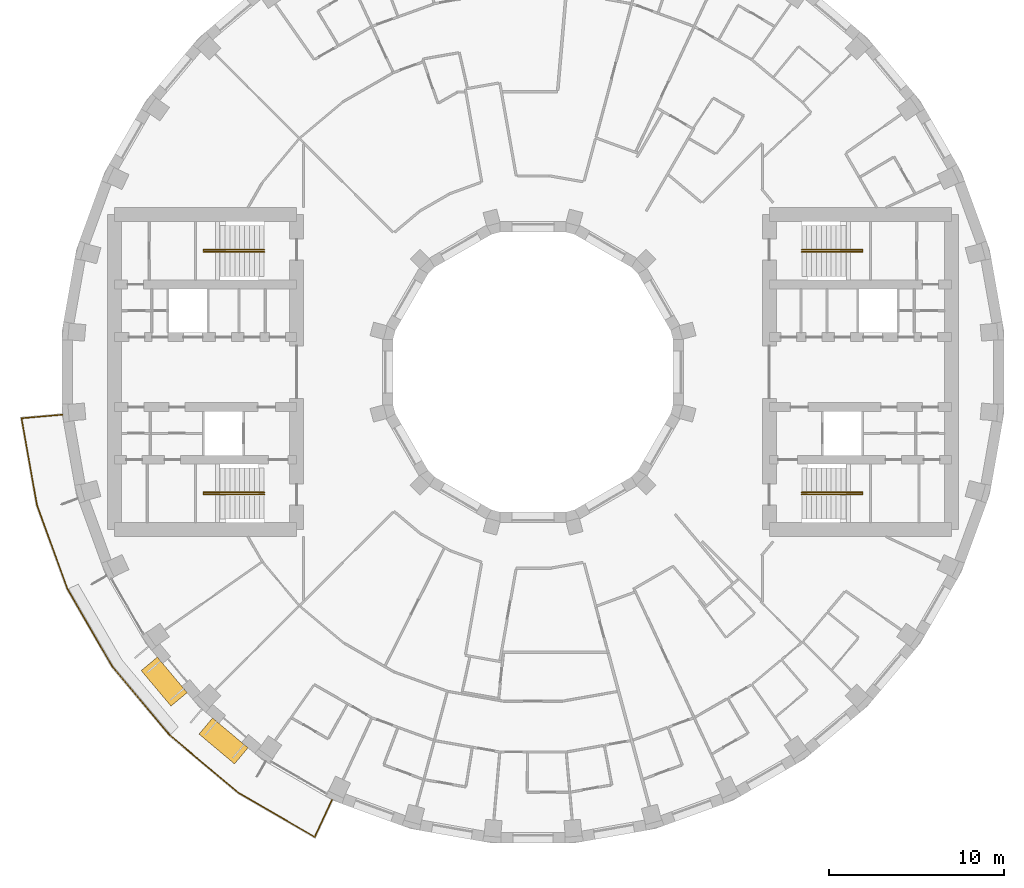
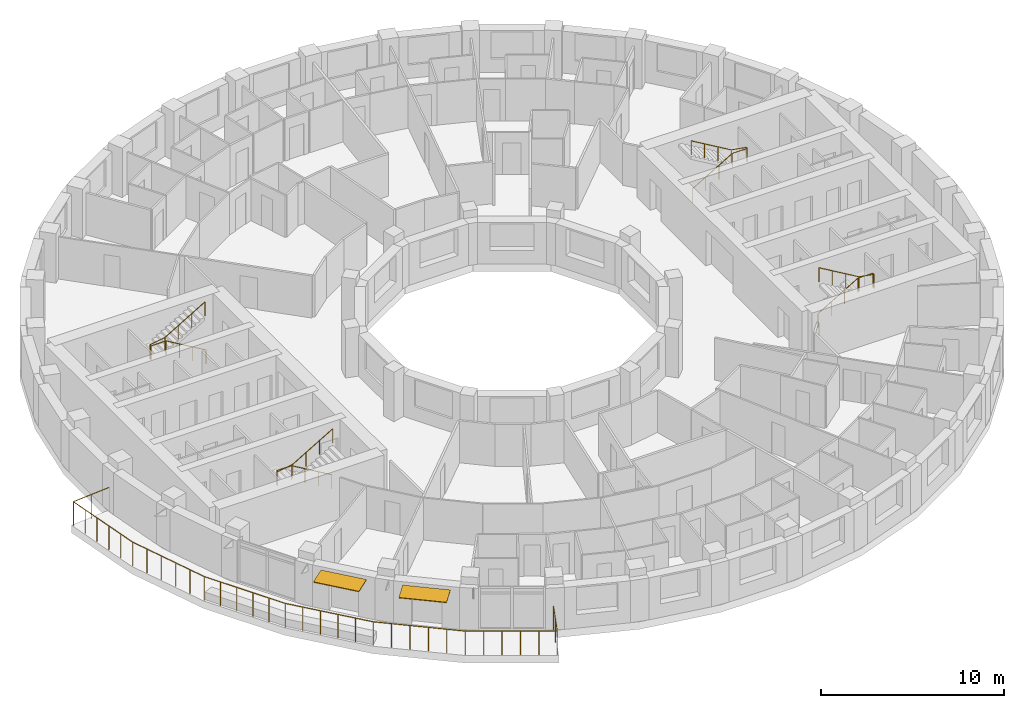
# One storey, part 16 of 16: 5 railings, 2 shading devices.
"""IFC4 building model written with IfcOpenShell, lengths in metres."""

from ifc_helpers import new_model, si_unit, direction, frame, origin, origin_2d, place, context, subcontext, project, spatial, rectangle, circle, extrude, material, layer, layer_set, type_object, element, save


model = new_model("IFC4")

# Units and contexts
model_context = context("Model", 3, precision=1e-05, world=origin(), true_north=direction((0.0, 1.0)))
body_context = subcontext(model_context, "Body", "Model", "MODEL_VIEW")
ifc_project = project(units=[si_unit("LENGTHUNIT", "METRE"), si_unit("AREAUNIT", "SQUARE_METRE"), si_unit("VOLUMEUNIT", "CUBIC_METRE"), si_unit("PLANEANGLEUNIT", "RADIAN"), si_unit("MASSUNIT", "GRAM", prefix="KILO")], contexts=[model_context])

# Site, building, storey
site_placement = place(None, origin())
site = spatial("IfcSite", under=ifc_project, at=site_placement, CompositionType="ELEMENT")
building_placement = place(site_placement, origin())
building = spatial("IfcBuilding", under=site, at=building_placement, Name="Saqina Gate Tower", CompositionType="ELEMENT")
storey_placement = place(building_placement, frame((0.0, 0.0, 124.89990234375)))
storey = spatial("IfcBuildingStorey", under=building, at=storey_placement, Name="L35", CompositionType="ELEMENT", Elevation=124.89990234375)

# Shading devices
ifc_material_1 = material(Name="Aluminium and fabric awning", Category="aluminium")
ifc_layer = layer(ifc_material_1, 0.050048828125)
ifc_layer_set = layer_set([ifc_layer], Name="AW-TERRACE")
shading_device_type = type_object("IfcShadingDeviceType", Name="AW-TERRACE", PredefinedType="AWNING", material=ifc_layer_set)
for number, where, z_axis, x_axis, name in (
    (1, (-21.064208984375, -17.6748046875, 2.52490234375), (0.0, 0.0, 1.0), (0.642787609687, -0.766044443119, 0.0), "Terrace awning L35 facet 22"),
    (2, (-17.6748046875, -21.064208984375, 2.52490234375), (0.0, 0.0, 1.0), (0.766044443119, -0.642787609687, 0.0), "Terrace awning L35 facet 23"),
):
    element("IfcShadingDevice", number, at=place(storey_placement, frame(where, z_axis=z_axis, x_axis=x_axis)), inside=storey, type_object=shading_device_type, Name=name, PredefinedType="AWNING", context=body_context, shape_type="SweptSolid", body=[
        extrude(rectangle(XDim=2.647705078125, YDim=1.199951171875, at=origin_2d()), origin(), (0.0, 0.0, 1.0), 0.050048828125),
    ])

# Railings
ifc_material_2 = material(Name="Stainless steel", Category="steel")
railing_type_1 = type_object("IfcRailingType", Name="RL-TERRACE", PredefinedType="GUARDRAIL", material=ifc_material_2)
railing_1_placement = place(storey_placement, frame((-26.83056640625, -2.427734375, 0.0)))
element("IfcRailing", 3, at=railing_1_placement, inside=storey, type_object=railing_type_1, Name="Terrace guard L35", PredefinedType="GUARDRAIL", context=body_context, shape_type="SweptSolid", body=[
    extrude(circle(Radius=0.02392578125, at=origin_2d()), frame((0.0, 0.0, 1.576171875), z_axis=(-0.996192497087, -0.087180896688, 0.0), x_axis=(0.087180896688, -0.996192497087, 0.0)), (0.0, 0.0, 1.0), 2.388671875),
    extrude(circle(Radius=0.02392578125, at=origin_2d()), frame((-2.379638671875, -0.208251953125, 1.576171875), z_axis=(0.174986307817, -0.984570866965, 0.0), x_axis=(0.984570866965, 0.174986307817, 0.0)), (0.0, 0.0, 1.0), 5.032470703125),
    extrude(circle(Radius=0.02392578125, at=origin_2d()), frame((-1.4990234375, -5.1630859375, 1.576171875), z_axis=(0.342011445423, -0.939695786518, 0.0), x_axis=(0.939695786518, 0.342011445423, 0.0)), (0.0, 0.0, 1.0), 5.112548828125),
    extrude(circle(Radius=0.02392578125, at=origin_2d()), frame((0.24951171875, -9.96728515625, 1.576171875), z_axis=(0.500011827544, -0.866018575041, 0.0), x_axis=(0.866018575041, 0.500011827544, 0.0)), (0.0, 0.0, 1.0), 5.1123046875),
    extrude(circle(Radius=0.02392578125, at=origin_2d()), frame((2.8056640625, -14.39453125, 1.576171875), z_axis=(0.642815711334, -0.766020862158, 0.0), x_axis=(0.766020862158, 0.642815711334, 0.0)), (0.0, 0.0, 1.0), 5.112548828125),
    extrude(circle(Radius=0.02392578125, at=origin_2d()), frame((6.092041015625, -18.310791015625, 1.576171875), z_axis=(0.766020862158, -0.642815711334, 0.0), x_axis=(0.642815711334, 0.766020862158, 0.0)), (0.0, 0.0, 1.0), 5.112548828125),
    extrude(circle(Radius=0.02392578125, at=origin_2d()), frame((10.00830078125, -21.59716796875, 1.576171875), z_axis=(0.86534767014, -0.501172036115, 0.0), x_axis=(0.501172036115, 0.86534767014, 0.0)), (0.0, 0.0, 1.0), 5.03271484375),
    extrude(circle(Radius=0.02392578125, at=origin_2d()), frame((14.36328125, -24.119384765625, 1.576171875), z_axis=(0.422600102855, 0.906316254443, 0.0), x_axis=(-0.906316254443, 0.422600102855, 0.0)), (0.0, 0.0, 1.0), 2.388916015625),
    extrude(circle(Radius=0.02099609375, at=origin_2d()), origin(), (0.0, 0.0, 1.0), 1.552001953125),
    extrude(circle(Radius=0.02099609375, at=origin_2d()), frame((-1.18994140625, -0.10400390625, 0.0)), (0.0, 0.0, 1.0), 1.552001953125),
    extrude(circle(Radius=0.02099609375, at=origin_2d()), frame((-2.379638671875, -0.208251953125, 0.0)), (0.0, 0.0, 1.0), 1.552001953125),
    extrude(circle(Radius=0.02099609375, at=origin_2d()), frame((-2.20361328125, -1.19921875, 0.0)), (0.0, 0.0, 1.0), 1.552001953125),
    extrude(circle(Radius=0.02099609375, at=origin_2d()), frame((-2.02734375, -2.190185546875, 0.0)), (0.0, 0.0, 1.0), 1.552001953125),
    extrude(circle(Radius=0.02099609375, at=origin_2d()), frame((-1.851318359375, -3.18115234375, 0.0)), (0.0, 0.0, 1.0), 1.552001953125),
    extrude(circle(Radius=0.02099609375, at=origin_2d()), frame((-1.675048828125, -4.172119140625, 0.0)), (0.0, 0.0, 1.0), 1.552001953125),
    extrude(circle(Radius=0.02099609375, at=origin_2d()), frame((-1.4990234375, -5.1630859375, 0.0)), (0.0, 0.0, 1.0), 1.552001953125),
    extrude(circle(Radius=0.02099609375, at=origin_2d()), frame((-1.1494140625, -6.1240234375, 0.0)), (0.0, 0.0, 1.0), 1.552001953125),
    extrude(circle(Radius=0.02099609375, at=origin_2d()), frame((-0.799560546875, -7.084716796875, 0.0)), (0.0, 0.0, 1.0), 1.552001953125),
    extrude(circle(Radius=0.02099609375, at=origin_2d()), frame((-0.449951171875, -8.045654296875, 0.0)), (0.0, 0.0, 1.0), 1.552001953125),
    extrude(circle(Radius=0.02099609375, at=origin_2d()), frame((-0.10009765625, -9.00634765625, 0.0)), (0.0, 0.0, 1.0), 1.552001953125),
    extrude(circle(Radius=0.02099609375, at=origin_2d()), frame((0.24951171875, -9.96728515625, 0.0)), (0.0, 0.0, 1.0), 1.552001953125),
    extrude(circle(Radius=0.02099609375, at=origin_2d()), frame((0.7607421875, -10.852783203125, 0.0)), (0.0, 0.0, 1.0), 1.552001953125),
    extrude(circle(Radius=0.02099609375, at=origin_2d()), frame((1.27197265625, -11.73828125, 0.0)), (0.0, 0.0, 1.0), 1.552001953125),
    extrude(circle(Radius=0.02099609375, at=origin_2d()), frame((1.783203125, -12.62353515625, 0.0)), (0.0, 0.0, 1.0), 1.552001953125),
    extrude(circle(Radius=0.02099609375, at=origin_2d()), frame((2.29443359375, -13.509033203125, 0.0)), (0.0, 0.0, 1.0), 1.552001953125),
    extrude(circle(Radius=0.02099609375, at=origin_2d()), frame((2.8056640625, -14.39453125, 0.0)), (0.0, 0.0, 1.0), 1.552001953125),
    extrude(circle(Radius=0.02099609375, at=origin_2d()), frame((3.462890625, -15.177734375, 0.0)), (0.0, 0.0, 1.0), 1.552001953125),
    extrude(circle(Radius=0.02099609375, at=origin_2d()), frame((4.1201171875, -15.9609375, 0.0)), (0.0, 0.0, 1.0), 1.552001953125),
    extrude(circle(Radius=0.02099609375, at=origin_2d()), frame((4.777587890625, -16.744384765625, 0.0)), (0.0, 0.0, 1.0), 1.552001953125),
    extrude(circle(Radius=0.02099609375, at=origin_2d()), frame((5.434814453125, -17.527587890625, 0.0)), (0.0, 0.0, 1.0), 1.552001953125),
    extrude(circle(Radius=0.02099609375, at=origin_2d()), frame((6.092041015625, -18.310791015625, 0.0)), (0.0, 0.0, 1.0), 1.552001953125),
    extrude(circle(Radius=0.02099609375, at=origin_2d()), frame((6.875244140625, -18.968017578125, 0.0)), (0.0, 0.0, 1.0), 1.552001953125),
    extrude(circle(Radius=0.02099609375, at=origin_2d()), frame((7.658447265625, -19.625244140625, 0.0)), (0.0, 0.0, 1.0), 1.552001953125),
    extrude(circle(Radius=0.02099609375, at=origin_2d()), frame((8.44189453125, -20.28271484375, 0.0)), (0.0, 0.0, 1.0), 1.552001953125),
    extrude(circle(Radius=0.02099609375, at=origin_2d()), frame((9.22509765625, -20.93994140625, 0.0)), (0.0, 0.0, 1.0), 1.552001953125),
    extrude(circle(Radius=0.02099609375, at=origin_2d()), frame((10.00830078125, -21.59716796875, 0.0)), (0.0, 0.0, 1.0), 1.552001953125),
    extrude(circle(Radius=0.02099609375, at=origin_2d()), frame((10.87939453125, -22.1015625, 0.0)), (0.0, 0.0, 1.0), 1.552001953125),
    extrude(circle(Radius=0.02099609375, at=origin_2d()), frame((11.750244140625, -22.60595703125, 0.0)), (0.0, 0.0, 1.0), 1.552001953125),
    extrude(circle(Radius=0.02099609375, at=origin_2d()), frame((12.621337890625, -23.110595703125, 0.0)), (0.0, 0.0, 1.0), 1.552001953125),
    extrude(circle(Radius=0.02099609375, at=origin_2d()), frame((13.4921875, -23.614990234375, 0.0)), (0.0, 0.0, 1.0), 1.552001953125),
    extrude(circle(Radius=0.02099609375, at=origin_2d()), frame((14.36328125, -24.119384765625, 0.0)), (0.0, 0.0, 1.0), 1.552001953125),
    extrude(circle(Radius=0.02099609375, at=origin_2d()), frame((14.8681640625, -23.036865234375, 0.0)), (0.0, 0.0, 1.0), 1.552001953125),
    extrude(circle(Radius=0.02099609375, at=origin_2d()), frame((15.372802734375, -21.954345703125, 0.0)), (0.0, 0.0, 1.0), 1.552001953125),
])
ifc_material_3 = material(Name="Stainless steel", Category="steel")
railing_type_2 = type_object("IfcRailingType", Name="STAIR HANDRAIL", PredefinedType="HANDRAIL", material=ifc_material_3)
railing_2_placement = place(storey_placement, frame((15.35009765625, 6.86669921875, 0.1650390625)))
element("IfcRailing", 4, at=railing_2_placement, inside=storey, type_object=railing_type_2, Name="EXIT STAIR 1 HANDRAIL", PredefinedType="HANDRAIL", context=body_context, shape_type="SweptSolid", body=[
    extrude(circle(Radius=0.02392578125, at=origin_2d()), frame((0.0, 0.0, 0.92578125), z_axis=(0.86152411907, 0.0, 0.507716645641), x_axis=(0.0, 1.0, 0.0)), (0.0, 0.0, 1.0), 2.925048828125),
    extrude(circle(Radius=0.02392578125, at=origin_2d()), frame((2.52001953125, 0.0, 2.4111328125), z_axis=(1.0, 0.0, 0.0), x_axis=(0.0, 1.0, 0.0)), (0.0, 0.0, 1.0), 0.949951171875),
    extrude(circle(Radius=0.02392578125, at=origin_2d()), frame((3.469970703125, 0.0, 2.4111328125), z_axis=(0.0, 1.0, 0.0), x_axis=(-1.0, 0.0, 0.0)), (0.0, 0.0, 1.0), 0.11669921875),
    extrude(circle(Radius=0.02392578125, at=origin_2d()), frame((3.469970703125, 0.11669921875, 2.4111328125), z_axis=(-0.985241474778, 0.0, 0.171170197109), x_axis=(0.0, -1.0, 0.0)), (0.0, 0.0, 1.0), 0.964111328125),
    extrude(circle(Radius=0.02392578125, at=origin_2d()), frame((2.52001953125, 0.11669921875, 2.576171875), z_axis=(-0.861560626758, 0.0, 0.507654692109), x_axis=(0.0, -1.0, 0.0)), (0.0, 0.0, 1.0), 2.925048828125),
    extrude(circle(Radius=0.02099609375, at=origin_2d()), origin(), (0.0, 0.0, 1.0), 0.90185546875),
    extrude(circle(Radius=0.02099609375, at=origin_2d()), frame((0.840087890625, 0.0, 0.4951171875)), (0.0, 0.0, 1.0), 0.90185546875),
    extrude(circle(Radius=0.02099609375, at=origin_2d()), frame((1.679931640625, 0.0, 0.989990234375)), (0.0, 0.0, 1.0), 0.90185546875),
    extrude(circle(Radius=0.02099609375, at=origin_2d()), frame((2.52001953125, 0.0, 1.485107421875)), (0.0, 0.0, 1.0), 0.90185546875),
    extrude(circle(Radius=0.02099609375, at=origin_2d()), frame((3.469970703125, 0.0, 1.485107421875)), (0.0, 0.0, 1.0), 0.90185546875),
    extrude(circle(Radius=0.02099609375, at=origin_2d()), frame((3.469970703125, 0.11669921875, 1.485107421875)), (0.0, 0.0, 1.0), 0.90185546875),
    extrude(circle(Radius=0.02099609375, at=origin_2d()), frame((2.52001953125, 0.11669921875, 1.650146484375)), (0.0, 0.0, 1.0), 0.90185546875),
    extrude(circle(Radius=0.02099609375, at=origin_2d()), frame((1.679931640625, 0.11669921875, 2.14501953125)), (0.0, 0.0, 1.0), 0.90185546875),
    extrude(circle(Radius=0.02099609375, at=origin_2d()), frame((0.840087890625, 0.11669921875, 2.64013671875)), (0.0, 0.0, 1.0), 0.90185546875),
    extrude(circle(Radius=0.02099609375, at=origin_2d()), frame((0.0, 0.11669921875, 3.135009765625)), (0.0, 0.0, 1.0), 0.90185546875),
])
railing_3_placement = place(storey_placement, frame((15.35009765625, -6.86669921875, 0.1650390625)))
element("IfcRailing", 5, at=railing_3_placement, inside=storey, type_object=railing_type_2, Name="EXIT STAIR 2 HANDRAIL", PredefinedType="HANDRAIL", context=body_context, shape_type="SweptSolid", body=[
    extrude(circle(Radius=0.02392578125, at=origin_2d()), frame((0.0, 0.0, 0.92578125), z_axis=(0.86152411907, 0.0, 0.507716645641), x_axis=(0.0, 1.0, 0.0)), (0.0, 0.0, 1.0), 2.925048828125),
    extrude(circle(Radius=0.02392578125, at=origin_2d()), frame((2.52001953125, 0.0, 2.4111328125), z_axis=(1.0, 0.0, 0.0), x_axis=(0.0, 1.0, 0.0)), (0.0, 0.0, 1.0), 0.949951171875),
    extrude(circle(Radius=0.02392578125, at=origin_2d()), frame((3.469970703125, 0.0, 2.4111328125), z_axis=(0.0, -1.0, 0.0), x_axis=(1.0, 0.0, 0.0)), (0.0, 0.0, 1.0), 0.11669921875),
    extrude(circle(Radius=0.02392578125, at=origin_2d()), frame((3.469970703125, -0.11669921875, 2.4111328125), z_axis=(-0.985241474778, 0.0, 0.171170197109), x_axis=(0.0, -1.0, 0.0)), (0.0, 0.0, 1.0), 0.964111328125),
    extrude(circle(Radius=0.02392578125, at=origin_2d()), frame((2.52001953125, -0.11669921875, 2.576171875), z_axis=(-0.861560626758, 0.0, 0.507654692109), x_axis=(0.0, -1.0, 0.0)), (0.0, 0.0, 1.0), 2.925048828125),
    extrude(circle(Radius=0.02099609375, at=origin_2d()), origin(), (0.0, 0.0, 1.0), 0.90185546875),
    extrude(circle(Radius=0.02099609375, at=origin_2d()), frame((0.840087890625, 0.0, 0.4951171875)), (0.0, 0.0, 1.0), 0.90185546875),
    extrude(circle(Radius=0.02099609375, at=origin_2d()), frame((1.679931640625, 0.0, 0.989990234375)), (0.0, 0.0, 1.0), 0.90185546875),
    extrude(circle(Radius=0.02099609375, at=origin_2d()), frame((2.52001953125, 0.0, 1.485107421875)), (0.0, 0.0, 1.0), 0.90185546875),
    extrude(circle(Radius=0.02099609375, at=origin_2d()), frame((3.469970703125, 0.0, 1.485107421875)), (0.0, 0.0, 1.0), 0.90185546875),
    extrude(circle(Radius=0.02099609375, at=origin_2d()), frame((3.469970703125, -0.11669921875, 1.485107421875)), (0.0, 0.0, 1.0), 0.90185546875),
    extrude(circle(Radius=0.02099609375, at=origin_2d()), frame((2.52001953125, -0.11669921875, 1.650146484375)), (0.0, 0.0, 1.0), 0.90185546875),
    extrude(circle(Radius=0.02099609375, at=origin_2d()), frame((1.679931640625, -0.11669921875, 2.14501953125)), (0.0, 0.0, 1.0), 0.90185546875),
    extrude(circle(Radius=0.02099609375, at=origin_2d()), frame((0.840087890625, -0.11669921875, 2.64013671875)), (0.0, 0.0, 1.0), 0.90185546875),
    extrude(circle(Radius=0.02099609375, at=origin_2d()), frame((0.0, -0.11669921875, 3.135009765625)), (0.0, 0.0, 1.0), 0.90185546875),
])
railing_4_placement = place(storey_placement, frame((-15.35009765625, 6.86669921875, 0.1650390625)))
element("IfcRailing", 6, at=railing_4_placement, inside=storey, type_object=railing_type_2, Name="EXIT STAIR 3 HANDRAIL", PredefinedType="HANDRAIL", context=body_context, shape_type="SweptSolid", body=[
    extrude(circle(Radius=0.02392578125, at=origin_2d()), frame((0.0, 0.0, 0.92578125), z_axis=(-0.86152411907, 0.0, 0.507716645641), x_axis=(0.0, -1.0, 0.0)), (0.0, 0.0, 1.0), 2.925048828125),
    extrude(circle(Radius=0.02392578125, at=origin_2d()), frame((-2.52001953125, 0.0, 2.4111328125), z_axis=(-1.0, 0.0, 0.0), x_axis=(0.0, -1.0, 0.0)), (0.0, 0.0, 1.0), 0.949951171875),
    extrude(circle(Radius=0.02392578125, at=origin_2d()), frame((-3.469970703125, 0.0, 2.4111328125), z_axis=(0.0, 1.0, 0.0), x_axis=(-1.0, 0.0, 0.0)), (0.0, 0.0, 1.0), 0.11669921875),
    extrude(circle(Radius=0.02392578125, at=origin_2d()), frame((-3.469970703125, 0.11669921875, 2.4111328125), z_axis=(0.985241474778, 0.0, 0.171170197109), x_axis=(0.0, 1.0, 0.0)), (0.0, 0.0, 1.0), 0.964111328125),
    extrude(circle(Radius=0.02392578125, at=origin_2d()), frame((-2.52001953125, 0.11669921875, 2.576171875), z_axis=(0.861560626758, 0.0, 0.507654692109), x_axis=(0.0, 1.0, 0.0)), (0.0, 0.0, 1.0), 2.925048828125),
    extrude(circle(Radius=0.02099609375, at=origin_2d()), origin(), (0.0, 0.0, 1.0), 0.90185546875),
    extrude(circle(Radius=0.02099609375, at=origin_2d()), frame((-0.840087890625, 0.0, 0.4951171875)), (0.0, 0.0, 1.0), 0.90185546875),
    extrude(circle(Radius=0.02099609375, at=origin_2d()), frame((-1.679931640625, 0.0, 0.989990234375)), (0.0, 0.0, 1.0), 0.90185546875),
    extrude(circle(Radius=0.02099609375, at=origin_2d()), frame((-2.52001953125, 0.0, 1.485107421875)), (0.0, 0.0, 1.0), 0.90185546875),
    extrude(circle(Radius=0.02099609375, at=origin_2d()), frame((-3.469970703125, 0.0, 1.485107421875)), (0.0, 0.0, 1.0), 0.90185546875),
    extrude(circle(Radius=0.02099609375, at=origin_2d()), frame((-3.469970703125, 0.11669921875, 1.485107421875)), (0.0, 0.0, 1.0), 0.90185546875),
    extrude(circle(Radius=0.02099609375, at=origin_2d()), frame((-2.52001953125, 0.11669921875, 1.650146484375)), (0.0, 0.0, 1.0), 0.90185546875),
    extrude(circle(Radius=0.02099609375, at=origin_2d()), frame((-1.679931640625, 0.11669921875, 2.14501953125)), (0.0, 0.0, 1.0), 0.90185546875),
    extrude(circle(Radius=0.02099609375, at=origin_2d()), frame((-0.840087890625, 0.11669921875, 2.64013671875)), (0.0, 0.0, 1.0), 0.90185546875),
    extrude(circle(Radius=0.02099609375, at=origin_2d()), frame((0.0, 0.11669921875, 3.135009765625)), (0.0, 0.0, 1.0), 0.90185546875),
])
railing_5_placement = place(storey_placement, frame((-15.35009765625, -6.86669921875, 0.1650390625)))
element("IfcRailing", 7, at=railing_5_placement, inside=storey, type_object=railing_type_2, Name="EXIT STAIR 4 HANDRAIL", PredefinedType="HANDRAIL", context=body_context, shape_type="SweptSolid", body=[
    extrude(circle(Radius=0.02392578125, at=origin_2d()), frame((0.0, 0.0, 0.92578125), z_axis=(-0.86152411907, 0.0, 0.507716645641), x_axis=(0.0, -1.0, 0.0)), (0.0, 0.0, 1.0), 2.925048828125),
    extrude(circle(Radius=0.02392578125, at=origin_2d()), frame((-2.52001953125, 0.0, 2.4111328125), z_axis=(-1.0, 0.0, 0.0), x_axis=(0.0, -1.0, 0.0)), (0.0, 0.0, 1.0), 0.949951171875),
    extrude(circle(Radius=0.02392578125, at=origin_2d()), frame((-3.469970703125, 0.0, 2.4111328125), z_axis=(0.0, -1.0, 0.0), x_axis=(1.0, 0.0, 0.0)), (0.0, 0.0, 1.0), 0.11669921875),
    extrude(circle(Radius=0.02392578125, at=origin_2d()), frame((-3.469970703125, -0.11669921875, 2.4111328125), z_axis=(0.985241474778, 0.0, 0.171170197109), x_axis=(0.0, 1.0, 0.0)), (0.0, 0.0, 1.0), 0.964111328125),
    extrude(circle(Radius=0.02392578125, at=origin_2d()), frame((-2.52001953125, -0.11669921875, 2.576171875), z_axis=(0.861560626758, 0.0, 0.507654692109), x_axis=(0.0, 1.0, 0.0)), (0.0, 0.0, 1.0), 2.925048828125),
    extrude(circle(Radius=0.02099609375, at=origin_2d()), origin(), (0.0, 0.0, 1.0), 0.90185546875),
    extrude(circle(Radius=0.02099609375, at=origin_2d()), frame((-0.840087890625, 0.0, 0.4951171875)), (0.0, 0.0, 1.0), 0.90185546875),
    extrude(circle(Radius=0.02099609375, at=origin_2d()), frame((-1.679931640625, 0.0, 0.989990234375)), (0.0, 0.0, 1.0), 0.90185546875),
    extrude(circle(Radius=0.02099609375, at=origin_2d()), frame((-2.52001953125, 0.0, 1.485107421875)), (0.0, 0.0, 1.0), 0.90185546875),
    extrude(circle(Radius=0.02099609375, at=origin_2d()), frame((-3.469970703125, 0.0, 1.485107421875)), (0.0, 0.0, 1.0), 0.90185546875),
    extrude(circle(Radius=0.02099609375, at=origin_2d()), frame((-3.469970703125, -0.11669921875, 1.485107421875)), (0.0, 0.0, 1.0), 0.90185546875),
    extrude(circle(Radius=0.02099609375, at=origin_2d()), frame((-2.52001953125, -0.11669921875, 1.650146484375)), (0.0, 0.0, 1.0), 0.90185546875),
    extrude(circle(Radius=0.02099609375, at=origin_2d()), frame((-1.679931640625, -0.11669921875, 2.14501953125)), (0.0, 0.0, 1.0), 0.90185546875),
    extrude(circle(Radius=0.02099609375, at=origin_2d()), frame((-0.840087890625, -0.11669921875, 2.64013671875)), (0.0, 0.0, 1.0), 0.90185546875),
    extrude(circle(Radius=0.02099609375, at=origin_2d()), frame((0.0, -0.11669921875, 3.135009765625)), (0.0, 0.0, 1.0), 0.90185546875),
])

save(model, "model.ifc")
